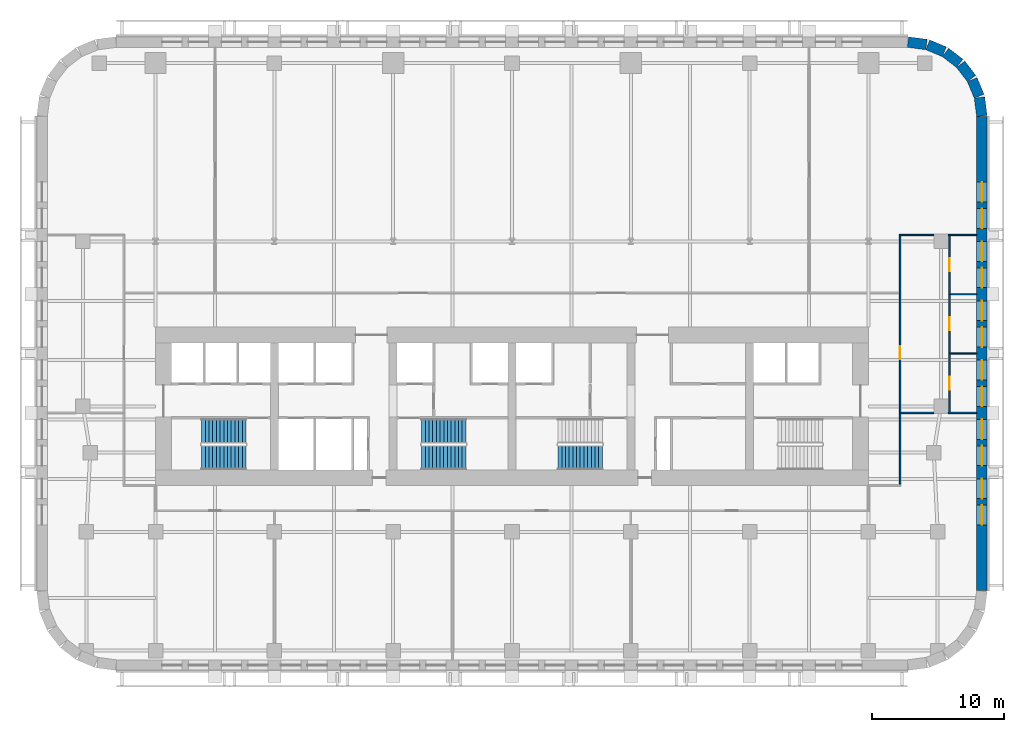
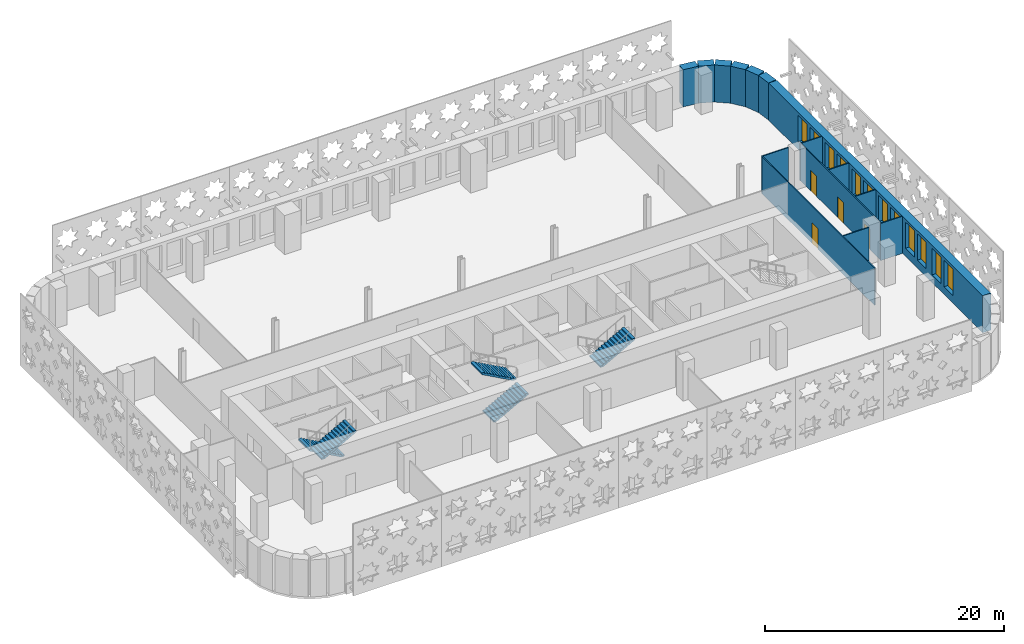
# One storey, part 7 of 13: 15 walls, 12 windows, 5 stair flights, 4 doors, 16 openings, 3 elements without a shape of their own.
"""IFC4 building model written with IfcOpenShell, lengths in metres."""

from ifc_helpers import new_model, si_unit, direction, frame, frame_2d, origin, place, context, subcontext, project, spatial, polyline, rectangle, outline, extrude, material, layer, layer_set, type_object, element, fill, aggregate, save


model = new_model("IFC4")

# Units and contexts
model_context = context("Model", 3, precision=1e-05, world=origin(), true_north=direction((0.0, 1.0)))
body_context = subcontext(model_context, "Body", "Model", "MODEL_VIEW")
ifc_project = project(units=[si_unit("LENGTHUNIT", "METRE"), si_unit("AREAUNIT", "SQUARE_METRE"), si_unit("VOLUMEUNIT", "CUBIC_METRE"), si_unit("PLANEANGLEUNIT", "RADIAN"), si_unit("MASSUNIT", "GRAM", prefix="KILO")], contexts=[model_context])

# Site, building, storey
site_placement = place(None, origin())
site = spatial("IfcSite", under=ifc_project, at=site_placement, CompositionType="ELEMENT")
building_placement = place(site_placement, origin())
building = spatial("IfcBuilding", under=site, at=building_placement, Name="Zellij Exchange Tower", CompositionType="ELEMENT")
storey_placement = place(building_placement, frame((0.0, 0.0, 60.5)))
storey = spatial("IfcBuildingStorey", under=building, at=storey_placement, Name="L11", CompositionType="ELEMENT", Elevation=60.5)

# Wall, openings, windows
ifc_material_1 = material(Name="Precast concrete C40/50", Category="concrete")
ifc_layer_1 = layer(ifc_material_1, 0.800048828125)
ifc_layer_set_1 = layer_set([ifc_layer_1], Name="Precast concrete C40/50")
wall_type_1 = type_object("IfcWallType", Name="ENV-EW1 Precast stone-piered wall 800", PredefinedType="SOLIDWALL", material=ifc_layer_set_1)
wall_1_placement = place(storey_placement, frame((35.60009765625, -21.947509765625, 0.0), z_axis=(0.0, 0.0, 1.0), x_axis=(0.0, 1.0, 0.0)))
wall_1 = element("IfcWall", 1, at=wall_1_placement, inside=storey, type_object=wall_type_1, Name="fac.L11.07", PredefinedType="SOLIDWALL", context=body_context, shape_type="SweptSolid", body=[
    extrude(rectangle(XDim=35.89501953125, YDim=0.800048828125, at=frame_2d((17.947509765625, 0.0))), origin(), (0.0, 0.0, 1.0), 3.800048828125),
])
opening_1_placement = place(wall_1_placement, frame((4.9638671875, 0.0, 0.800048828125)))
opening_1 = element("IfcOpeningElement", 2, at=opening_1_placement, cuts=wall_1, Name="Opening FZ1.25", PredefinedType="OPENING", context=body_context, shape_type="SweptSolid", body=[
    extrude(rectangle(XDim=1.5, YDim=2.699951171875, at=frame_2d((0.75, 1.35009765625))), frame((0.0, 0.412109375, 0.0), z_axis=(0.0, -1.0, 0.0), x_axis=(1.0, 0.0, 0.0)), (0.0, 0.0, 1.0), 0.823974609375),
])
opening_2_placement = place(wall_1_placement, frame((6.9638671875, 0.0, 0.800048828125)))
opening_2 = element("IfcOpeningElement", 3, at=opening_2_placement, cuts=wall_1, Name="Opening FZ1.26", PredefinedType="OPENING", context=body_context, shape_type="SweptSolid", body=[
    extrude(rectangle(XDim=1.5, YDim=2.699951171875, at=frame_2d((0.75, 1.35009765625))), frame((0.0, 0.412109375, 0.0), z_axis=(0.0, -1.0, 0.0), x_axis=(1.0, 0.0, 0.0)), (0.0, 0.0, 1.0), 0.823974609375),
])
opening_3_placement = place(wall_1_placement, frame((9.45751953125, 0.0, 0.800048828125)))
opening_3 = element("IfcOpeningElement", 4, at=opening_3_placement, cuts=wall_1, Name="Opening FZ1.27", PredefinedType="OPENING", context=body_context, shape_type="SweptSolid", body=[
    extrude(rectangle(XDim=1.5, YDim=2.699951171875, at=frame_2d((0.75, 1.35009765625))), frame((0.0, 0.412109375, 0.0), z_axis=(0.0, -1.0, 0.0), x_axis=(1.0, 0.0, 0.0)), (0.0, 0.0, 1.0), 0.823974609375),
])
opening_4_placement = place(wall_1_placement, frame((11.45751953125, 0.0, 0.800048828125)))
opening_4 = element("IfcOpeningElement", 5, at=opening_4_placement, cuts=wall_1, Name="Opening FZ1.28", PredefinedType="OPENING", context=body_context, shape_type="SweptSolid", body=[
    extrude(rectangle(XDim=1.5, YDim=2.699951171875, at=frame_2d((0.75, 1.35009765625))), frame((0.0, 0.412109375, 0.0), z_axis=(0.0, -1.0, 0.0), x_axis=(1.0, 0.0, 0.0)), (0.0, 0.0, 1.0), 0.823974609375),
])
opening_5_placement = place(wall_1_placement, frame((13.950927734375, 0.0, 0.800048828125)))
opening_5 = element("IfcOpeningElement", 6, at=opening_5_placement, cuts=wall_1, Name="Opening FZ1.29", PredefinedType="OPENING", context=body_context, shape_type="SweptSolid", body=[
    extrude(rectangle(XDim=1.5, YDim=2.699951171875, at=frame_2d((0.75, 1.35009765625))), frame((0.0, 0.412109375, 0.0), z_axis=(0.0, -1.0, 0.0), x_axis=(1.0, 0.0, 0.0)), (0.0, 0.0, 1.0), 0.823974609375),
])
opening_6_placement = place(wall_1_placement, frame((15.95068359375, 0.0, 0.800048828125)))
opening_6 = element("IfcOpeningElement", 7, at=opening_6_placement, cuts=wall_1, Name="Opening FZ1.30", PredefinedType="OPENING", context=body_context, shape_type="SweptSolid", body=[
    extrude(rectangle(XDim=1.5, YDim=2.699951171875, at=frame_2d((0.75, 1.35009765625))), frame((0.0, 0.412109375, 0.0), z_axis=(0.0, -1.0, 0.0), x_axis=(1.0, 0.0, 0.0)), (0.0, 0.0, 1.0), 0.823974609375),
])
opening_7_placement = place(wall_1_placement, frame((18.4443359375, 0.0, 0.800048828125)))
opening_7 = element("IfcOpeningElement", 8, at=opening_7_placement, cuts=wall_1, Name="Opening FZ1.31", PredefinedType="OPENING", context=body_context, shape_type="SweptSolid", body=[
    extrude(rectangle(XDim=1.5, YDim=2.699951171875, at=frame_2d((0.75, 1.35009765625))), frame((0.0, 0.412109375, 0.0), z_axis=(0.0, -1.0, 0.0), x_axis=(1.0, 0.0, 0.0)), (0.0, 0.0, 1.0), 0.823974609375),
])
opening_8_placement = place(wall_1_placement, frame((20.4443359375, 0.0, 0.800048828125)))
opening_8 = element("IfcOpeningElement", 9, at=opening_8_placement, cuts=wall_1, Name="Opening FZ1.32", PredefinedType="OPENING", context=body_context, shape_type="SweptSolid", body=[
    extrude(rectangle(XDim=1.5, YDim=2.699951171875, at=frame_2d((0.75, 1.35009765625))), frame((0.0, 0.412109375, 0.0), z_axis=(0.0, -1.0, 0.0), x_axis=(1.0, 0.0, 0.0)), (0.0, 0.0, 1.0), 0.823974609375),
])
opening_9_placement = place(wall_1_placement, frame((22.937744140625, 0.0, 0.800048828125)))
opening_9 = element("IfcOpeningElement", 10, at=opening_9_placement, cuts=wall_1, Name="Opening FZ1.33", PredefinedType="OPENING", context=body_context, shape_type="SweptSolid", body=[
    extrude(rectangle(XDim=1.5, YDim=2.699951171875, at=frame_2d((0.75, 1.35009765625))), frame((0.0, 0.412109375, 0.0), z_axis=(0.0, -1.0, 0.0), x_axis=(1.0, 0.0, 0.0)), (0.0, 0.0, 1.0), 0.823974609375),
])
opening_10_placement = place(wall_1_placement, frame((24.937744140625, 0.0, 0.800048828125)))
opening_10 = element("IfcOpeningElement", 11, at=opening_10_placement, cuts=wall_1, Name="Opening FZ1.34", PredefinedType="OPENING", context=body_context, shape_type="SweptSolid", body=[
    extrude(rectangle(XDim=1.5, YDim=2.699951171875, at=frame_2d((0.75, 1.35009765625))), frame((0.0, 0.412109375, 0.0), z_axis=(0.0, -1.0, 0.0), x_axis=(1.0, 0.0, 0.0)), (0.0, 0.0, 1.0), 0.823974609375),
])
opening_11_placement = place(wall_1_placement, frame((27.43115234375, 0.0, 0.800048828125)))
opening_11 = element("IfcOpeningElement", 12, at=opening_11_placement, cuts=wall_1, Name="Opening FZ1.35", PredefinedType="OPENING", context=body_context, shape_type="SweptSolid", body=[
    extrude(rectangle(XDim=1.5, YDim=2.699951171875, at=frame_2d((0.75, 1.35009765625))), frame((0.0, 0.412109375, 0.0), z_axis=(0.0, -1.0, 0.0), x_axis=(1.0, 0.0, 0.0)), (0.0, 0.0, 1.0), 0.823974609375),
])
opening_12_placement = place(wall_1_placement, frame((29.43115234375, 0.0, 0.800048828125)))
opening_12 = element("IfcOpeningElement", 13, at=opening_12_placement, cuts=wall_1, Name="Opening FZ1.36", PredefinedType="OPENING", context=body_context, shape_type="SweptSolid", body=[
    extrude(rectangle(XDim=1.5, YDim=2.699951171875, at=frame_2d((0.75, 1.35009765625))), frame((0.0, 0.412109375, 0.0), z_axis=(0.0, -1.0, 0.0), x_axis=(1.0, 0.0, 0.0)), (0.0, 0.0, 1.0), 0.823974609375),
])
ifc_material_2 = material(Name="Aluminium frame with insulating glass", Category="aluminium")
window_type = type_object("IfcWindowType", Name="ENV-W6 Window 1500x2700", PartitioningType="SINGLE_PANEL", PredefinedType="WINDOW", material=ifc_material_2)
window_1_placement = place(opening_1_placement, origin())
window_1 = element("IfcWindow", 14, at=window_1_placement, inside=storey, type_object=window_type, Name="Window FZ1.25", OverallHeight=2.699951171875, OverallWidth=1.5, PartitioningType="SINGLE_PANEL", PredefinedType="WINDOW", context=body_context, shape_type="SweptSolid", body=[
    extrude(rectangle(XDim=1.5, YDim=2.699951171875, at=frame_2d((0.75, 1.35009765625))), frame((0.0, 0.030029296875, 0.0), z_axis=(0.0, -1.0, 0.0), x_axis=(1.0, 0.0, 0.0)), (0.0, 0.0, 1.0), 0.06005859375),
])
fill(opening_1, window_1)
window_2_placement = place(opening_2_placement, origin())
window_2 = element("IfcWindow", 15, at=window_2_placement, inside=storey, type_object=window_type, Name="Window FZ1.26", OverallHeight=2.699951171875, OverallWidth=1.5, PartitioningType="SINGLE_PANEL", PredefinedType="WINDOW", context=body_context, shape_type="SweptSolid", body=[
    extrude(rectangle(XDim=1.5, YDim=2.699951171875, at=frame_2d((0.75, 1.35009765625))), frame((0.0, 0.030029296875, 0.0), z_axis=(0.0, -1.0, 0.0), x_axis=(1.0, 0.0, 0.0)), (0.0, 0.0, 1.0), 0.06005859375),
])
fill(opening_2, window_2)
window_3_placement = place(opening_3_placement, origin())
window_3 = element("IfcWindow", 16, at=window_3_placement, inside=storey, type_object=window_type, Name="Window FZ1.27", OverallHeight=2.699951171875, OverallWidth=1.5, PartitioningType="SINGLE_PANEL", PredefinedType="WINDOW", context=body_context, shape_type="SweptSolid", body=[
    extrude(rectangle(XDim=1.5, YDim=2.699951171875, at=frame_2d((0.75, 1.35009765625))), frame((0.0, 0.030029296875, 0.0), z_axis=(0.0, -1.0, 0.0), x_axis=(1.0, 0.0, 0.0)), (0.0, 0.0, 1.0), 0.06005859375),
])
fill(opening_3, window_3)
window_4_placement = place(opening_4_placement, origin())
window_4 = element("IfcWindow", 17, at=window_4_placement, inside=storey, type_object=window_type, Name="Window FZ1.28", OverallHeight=2.699951171875, OverallWidth=1.5, PartitioningType="SINGLE_PANEL", PredefinedType="WINDOW", context=body_context, shape_type="SweptSolid", body=[
    extrude(rectangle(XDim=1.5, YDim=2.699951171875, at=frame_2d((0.75, 1.35009765625))), frame((0.0, 0.030029296875, 0.0), z_axis=(0.0, -1.0, 0.0), x_axis=(1.0, 0.0, 0.0)), (0.0, 0.0, 1.0), 0.06005859375),
])
fill(opening_4, window_4)
window_5_placement = place(opening_5_placement, origin())
window_5 = element("IfcWindow", 18, at=window_5_placement, inside=storey, type_object=window_type, Name="Window FZ1.29", OverallHeight=2.699951171875, OverallWidth=1.5, PartitioningType="SINGLE_PANEL", PredefinedType="WINDOW", context=body_context, shape_type="SweptSolid", body=[
    extrude(rectangle(XDim=1.5, YDim=2.699951171875, at=frame_2d((0.75, 1.35009765625))), frame((0.0, 0.030029296875, 0.0), z_axis=(0.0, -1.0, 0.0), x_axis=(1.0, 0.0, 0.0)), (0.0, 0.0, 1.0), 0.06005859375),
])
fill(opening_5, window_5)
window_6_placement = place(opening_6_placement, origin())
window_6 = element("IfcWindow", 19, at=window_6_placement, inside=storey, type_object=window_type, Name="Window FZ1.30", OverallHeight=2.699951171875, OverallWidth=1.5, PartitioningType="SINGLE_PANEL", PredefinedType="WINDOW", context=body_context, shape_type="SweptSolid", body=[
    extrude(rectangle(XDim=1.5, YDim=2.699951171875, at=frame_2d((0.75, 1.35009765625))), frame((0.0, 0.030029296875, 0.0), z_axis=(0.0, -1.0, 0.0), x_axis=(1.0, 0.0, 0.0)), (0.0, 0.0, 1.0), 0.06005859375),
])
fill(opening_6, window_6)
window_7_placement = place(opening_7_placement, origin())
window_7 = element("IfcWindow", 20, at=window_7_placement, inside=storey, type_object=window_type, Name="Window FZ1.31", OverallHeight=2.699951171875, OverallWidth=1.5, PartitioningType="SINGLE_PANEL", PredefinedType="WINDOW", context=body_context, shape_type="SweptSolid", body=[
    extrude(rectangle(XDim=1.5, YDim=2.699951171875, at=frame_2d((0.75, 1.35009765625))), frame((0.0, 0.030029296875, 0.0), z_axis=(0.0, -1.0, 0.0), x_axis=(1.0, 0.0, 0.0)), (0.0, 0.0, 1.0), 0.06005859375),
])
fill(opening_7, window_7)
window_8_placement = place(opening_8_placement, origin())
window_8 = element("IfcWindow", 21, at=window_8_placement, inside=storey, type_object=window_type, Name="Window FZ1.32", OverallHeight=2.699951171875, OverallWidth=1.5, PartitioningType="SINGLE_PANEL", PredefinedType="WINDOW", context=body_context, shape_type="SweptSolid", body=[
    extrude(rectangle(XDim=1.5, YDim=2.699951171875, at=frame_2d((0.75, 1.35009765625))), frame((0.0, 0.030029296875, 0.0), z_axis=(0.0, -1.0, 0.0), x_axis=(1.0, 0.0, 0.0)), (0.0, 0.0, 1.0), 0.06005859375),
])
fill(opening_8, window_8)
window_9_placement = place(opening_9_placement, origin())
window_9 = element("IfcWindow", 22, at=window_9_placement, inside=storey, type_object=window_type, Name="Window FZ1.33", OverallHeight=2.699951171875, OverallWidth=1.5, PartitioningType="SINGLE_PANEL", PredefinedType="WINDOW", context=body_context, shape_type="SweptSolid", body=[
    extrude(rectangle(XDim=1.5, YDim=2.699951171875, at=frame_2d((0.75, 1.35009765625))), frame((0.0, 0.030029296875, 0.0), z_axis=(0.0, -1.0, 0.0), x_axis=(1.0, 0.0, 0.0)), (0.0, 0.0, 1.0), 0.06005859375),
])
fill(opening_9, window_9)
window_10_placement = place(opening_10_placement, origin())
window_10 = element("IfcWindow", 23, at=window_10_placement, inside=storey, type_object=window_type, Name="Window FZ1.34", OverallHeight=2.699951171875, OverallWidth=1.5, PartitioningType="SINGLE_PANEL", PredefinedType="WINDOW", context=body_context, shape_type="SweptSolid", body=[
    extrude(rectangle(XDim=1.5, YDim=2.699951171875, at=frame_2d((0.75, 1.35009765625))), frame((0.0, 0.030029296875, 0.0), z_axis=(0.0, -1.0, 0.0), x_axis=(1.0, 0.0, 0.0)), (0.0, 0.0, 1.0), 0.06005859375),
])
fill(opening_10, window_10)
window_11_placement = place(opening_11_placement, origin())
window_11 = element("IfcWindow", 24, at=window_11_placement, inside=storey, type_object=window_type, Name="Window FZ1.35", OverallHeight=2.699951171875, OverallWidth=1.5, PartitioningType="SINGLE_PANEL", PredefinedType="WINDOW", context=body_context, shape_type="SweptSolid", body=[
    extrude(rectangle(XDim=1.5, YDim=2.699951171875, at=frame_2d((0.75, 1.35009765625))), frame((0.0, 0.030029296875, 0.0), z_axis=(0.0, -1.0, 0.0), x_axis=(1.0, 0.0, 0.0)), (0.0, 0.0, 1.0), 0.06005859375),
])
fill(opening_11, window_11)
window_12_placement = place(opening_12_placement, origin())
window_12 = element("IfcWindow", 25, at=window_12_placement, inside=storey, type_object=window_type, Name="Window FZ1.36", OverallHeight=2.699951171875, OverallWidth=1.5, PartitioningType="SINGLE_PANEL", PredefinedType="WINDOW", context=body_context, shape_type="SweptSolid", body=[
    extrude(rectangle(XDim=1.5, YDim=2.699951171875, at=frame_2d((0.75, 1.35009765625))), frame((0.0, 0.030029296875, 0.0), z_axis=(0.0, -1.0, 0.0), x_axis=(1.0, 0.0, 0.0)), (0.0, 0.0, 1.0), 0.06005859375),
])
fill(opening_12, window_12)

# Walls
wall_2_placement = place(storey_placement, frame((35.5966796875, 13.999755859375, 0.0), z_axis=(0.0, 0.0, 1.0), x_axis=(-0.130517283865, 0.99144603414, 0.0)))
element("IfcWall", 26, at=wall_2_placement, inside=storey, type_object=wall_type_1, Name="fac.L11.08", PredefinedType="SOLIDWALL", context=body_context, shape_type="SweptSolid", body=[
    extrude(rectangle(XDim=1.408447265625, YDim=0.800048828125, at=frame_2d((0.7041015625, 0.0))), origin(), (0.0, 0.0, 1.0), 3.800048828125),
])
wall_3_placement = place(storey_placement, frame((35.3857421875, 15.497314453125, 0.0), z_axis=(0.0, 0.0, 1.0), x_axis=(-0.38276009378, 0.923847774587, 0.0)))
element("IfcWall", 27, at=wall_3_placement, inside=storey, type_object=wall_type_1, Name="fac.L11.09", PredefinedType="SOLIDWALL", context=body_context, shape_type="SweptSolid", body=[
    extrude(rectangle(XDim=1.35546875, YDim=0.800048828125, at=frame_2d((0.677734375, 0.0))), origin(), (0.0, 0.0, 1.0), 3.800048828125),
])
for number, where, z_axis, x_axis, name in (
    (28, (34.814697265625, 16.840087890625, 0.0), (0.0, 0.0, 1.0), (-0.608866226366, 0.793272915452, 0.0), "fac.L11.10"),
    (29, (33.91552734375, 17.9892578125, 0.0), (0.0, 0.0, 1.0), (-0.793272915452, 0.608866226366, 0.0), "fac.L11.11"),
):
    element("IfcWall", number, at=place(storey_placement, frame(where, z_axis=z_axis, x_axis=x_axis)), inside=storey, type_object=wall_type_1, Name=name, PredefinedType="SOLIDWALL", context=body_context, shape_type="SweptSolid", body=[
        extrude(rectangle(XDim=1.355712890625, YDim=0.800048828125, at=frame_2d((0.677734375, 0.0))), origin(), (0.0, 0.0, 1.0), 3.800048828125),
    ])
wall_4_placement = place(storey_placement, frame((32.74951171875, 18.866943359375, 0.0), z_axis=(0.0, 0.0, 1.0), x_axis=(-0.923847774587, 0.38276009378, 0.0)))
element("IfcWall", 30, at=wall_4_placement, inside=storey, type_object=wall_type_1, Name="fac.L11.12", PredefinedType="SOLIDWALL", context=body_context, shape_type="SweptSolid", body=[
    extrude(rectangle(XDim=1.35546875, YDim=0.800048828125, at=frame_2d((0.677734375, 0.0))), origin(), (0.0, 0.0, 1.0), 3.800048828125),
])
wall_5_placement = place(storey_placement, frame((31.396240234375, 19.412841796875, 0.0), z_axis=(0.0, 0.0, 1.0), x_axis=(-0.99144603414, 0.130517283865, 0.0)))
element("IfcWall", 31, at=wall_5_placement, inside=storey, type_object=wall_type_1, Name="fac.L11.13", PredefinedType="SOLIDWALL", context=body_context, shape_type="SweptSolid", body=[
    extrude(rectangle(XDim=1.408447265625, YDim=0.800048828125, at=frame_2d((0.7041015625, 0.0))), origin(), (0.0, 0.0, 1.0), 3.800048828125),
])

# Wall, opening, door
ifc_material_3 = material(Name="Gypsum board partition on steel studs", Category="steel")
ifc_layer_2 = layer(ifc_material_3, 0.10009765625)
ifc_layer_set_2 = layer_set([ifc_layer_2], Name="Gypsum board partition on steel studs")
wall_type_2 = type_object("IfcWallType", Name="FIT-PARTITION-100", PredefinedType="PARTITIONING", material=ifc_layer_set_2)
wall_6_placement = place(storey_placement, frame((29.39990234375, -13.949951171875, 0.0), z_axis=(0.0, 0.0, 1.0), x_axis=(0.0, 1.0, 0.0)))
wall_6 = element("IfcWall", 32, at=wall_6_placement, inside=storey, type_object=wall_type_2, Name="FIT-PARTITION-100 013", PredefinedType="PARTITIONING", context=body_context, shape_type="SweptSolid", body=[
    extrude(rectangle(XDim=18.889892578125, YDim=0.10009765625, at=frame_2d((9.44482421875, 0.0))), origin(), (0.0, 0.0, 1.0), 3.800048828125),
])
opening_13_placement = place(wall_6_placement, frame((9.510009765625, 0.0, 0.0)))
opening_13 = element("IfcOpeningElement", 33, at=opening_13_placement, cuts=wall_6, Name="Opening TA.07", PredefinedType="OPENING", context=body_context, shape_type="SweptSolid", body=[
    extrude(rectangle(XDim=1.0, YDim=2.10009765625, at=frame_2d((0.5, 1.050048828125))), frame((0.0, 0.06201171875, 0.0), z_axis=(0.0, -1.0, 0.0), x_axis=(1.0, 0.0, 0.0)), (0.0, 0.0, 1.0), 0.1240234375),
])
ifc_material_4 = material(Name="Timber door set", Category="wood")
door_type = type_object("IfcDoorType", Name="FIT-D2-WIDE-1000X2100", OperationType="SINGLE_SWING_LEFT", PredefinedType="DOOR", material=ifc_material_4)
door_1_placement = place(opening_13_placement, origin())
door_1 = element("IfcDoor", 34, at=door_1_placement, inside=storey, type_object=door_type, Name="Door TA.07", OperationType="SINGLE_SWING_LEFT", OverallHeight=2.10009765625, OverallWidth=1.0, PredefinedType="DOOR", context=body_context, shape_type="SweptSolid", body=[
    extrude(rectangle(XDim=1.0, YDim=2.10009765625, at=frame_2d((0.5, 1.050048828125))), frame((0.0, 0.02490234375, 0.0), z_axis=(0.0, -1.0, 0.0), x_axis=(1.0, 0.0, 0.0)), (0.0, 0.0, 1.0), 0.050048828125),
])
fill(opening_13, door_1)

# Walls
wall_7_placement = place(storey_placement, frame((29.449951171875, -8.489990234375, 0.0), z_axis=(0.0, 0.0, 1.0), x_axis=(1.0, 0.0, 0.0)))
element("IfcWall", 35, at=wall_7_placement, inside=storey, type_object=wall_type_2, Name="FIT-PARTITION-100 016", PredefinedType="PARTITIONING", context=body_context, shape_type="SweptSolid", body=[
    extrude(rectangle(XDim=2.5, YDim=0.10009765625, at=frame_2d((1.25, 0.0))), origin(), (0.0, 0.0, 1.0), 3.800048828125),
])
wall_8_placement = place(storey_placement, frame((33.050048828125, -8.489990234375, 0.0), z_axis=(0.0, 0.0, 1.0), x_axis=(1.0, 0.0, 0.0)))
element("IfcWall", 36, at=wall_8_placement, inside=storey, type_object=wall_type_2, Name="FIT-PARTITION-100 017", PredefinedType="PARTITIONING", context=body_context, shape_type="SweptSolid", body=[
    extrude(rectangle(XDim=2.14990234375, YDim=0.10009765625, at=frame_2d((1.074951171875, 0.0))), origin(), (0.0, 0.0, 1.0), 3.800048828125),
])

# Wall, openings, doors
wall_9_placement = place(storey_placement, frame((33.14990234375, -8.43994140625, 0.0), z_axis=(0.0, 0.0, 1.0), x_axis=(0.0, 1.0, 0.0)))
wall_9 = element("IfcWall", 37, at=wall_9_placement, inside=storey, type_object=wall_type_2, Name="FIT-PARTITION-100 018", PredefinedType="PARTITIONING", context=body_context, shape_type="SweptSolid", body=[
    extrude(rectangle(XDim=13.3798828125, YDim=0.10009765625, at=frame_2d((6.68994140625, 0.0))), origin(), (0.0, 0.0, 1.0), 3.800048828125),
])
opening_14_placement = place(wall_9_placement, frame((1.699951171875, 0.0, 0.0)))
opening_14 = element("IfcOpeningElement", 38, at=opening_14_placement, cuts=wall_9, Name="Opening TA.05", PredefinedType="OPENING", context=body_context, shape_type="SweptSolid", body=[
    extrude(rectangle(XDim=1.0, YDim=2.10009765625, at=frame_2d((0.5, 1.050048828125))), frame((0.0, 0.06201171875, 0.0), z_axis=(0.0, -1.0, 0.0), x_axis=(1.0, 0.0, 0.0)), (0.0, 0.0, 1.0), 0.1240234375),
])
opening_15_placement = place(wall_9_placement, frame((6.18994140625, 0.0, 0.0)))
opening_15 = element("IfcOpeningElement", 39, at=opening_15_placement, cuts=wall_9, Name="Opening TA.08", PredefinedType="OPENING", context=body_context, shape_type="SweptSolid", body=[
    extrude(rectangle(XDim=1.0, YDim=2.10009765625, at=frame_2d((0.5, 1.050048828125))), frame((0.0, 0.06201171875, 0.0), z_axis=(0.0, -1.0, 0.0), x_axis=(1.0, 0.0, 0.0)), (0.0, 0.0, 1.0), 0.1240234375),
])
opening_16_placement = place(wall_9_placement, frame((10.679931640625, 0.0, 0.0)))
opening_16 = element("IfcOpeningElement", 40, at=opening_16_placement, cuts=wall_9, Name="Opening TA.11", PredefinedType="OPENING", context=body_context, shape_type="SweptSolid", body=[
    extrude(rectangle(XDim=1.0, YDim=2.10009765625, at=frame_2d((0.5, 1.050048828125))), frame((0.0, 0.06201171875, 0.0), z_axis=(0.0, -1.0, 0.0), x_axis=(1.0, 0.0, 0.0)), (0.0, 0.0, 1.0), 0.1240234375),
])
door_2_placement = place(opening_14_placement, origin())
door_2 = element("IfcDoor", 41, at=door_2_placement, inside=storey, type_object=door_type, Name="Door TA.05", OperationType="SINGLE_SWING_RIGHT", OverallHeight=2.10009765625, OverallWidth=1.0, PredefinedType="DOOR", context=body_context, shape_type="SweptSolid", body=[
    extrude(rectangle(XDim=1.0, YDim=2.10009765625, at=frame_2d((0.5, 1.050048828125))), frame((0.0, 0.02490234375, 0.0), z_axis=(0.0, -1.0, 0.0), x_axis=(1.0, 0.0, 0.0)), (0.0, 0.0, 1.0), 0.050048828125),
])
fill(opening_14, door_2)
door_3_placement = place(opening_15_placement, origin())
door_3 = element("IfcDoor", 42, at=door_3_placement, inside=storey, type_object=door_type, Name="Door TA.08", OperationType="SINGLE_SWING_RIGHT", OverallHeight=2.10009765625, OverallWidth=1.0, PredefinedType="DOOR", context=body_context, shape_type="SweptSolid", body=[
    extrude(rectangle(XDim=1.0, YDim=2.10009765625, at=frame_2d((0.5, 1.050048828125))), frame((0.0, 0.02490234375, 0.0), z_axis=(0.0, -1.0, 0.0), x_axis=(1.0, 0.0, 0.0)), (0.0, 0.0, 1.0), 0.050048828125),
])
fill(opening_15, door_3)
door_4_placement = place(opening_16_placement, origin())
door_4 = element("IfcDoor", 43, at=door_4_placement, inside=storey, type_object=door_type, Name="Door TA.11", OperationType="SINGLE_SWING_LEFT", OverallHeight=2.10009765625, OverallWidth=1.0, PredefinedType="DOOR", context=body_context, shape_type="SweptSolid", body=[
    extrude(rectangle(XDim=1.0, YDim=2.10009765625, at=frame_2d((0.5, 1.050048828125))), frame((0.0, 0.02490234375, 0.0), z_axis=(0.0, -1.0, 0.0), x_axis=(1.0, 0.0, 0.0)), (0.0, 0.0, 1.0), 0.050048828125),
])
fill(opening_16, door_4)

# Walls
for number, where, z_axis, x_axis, name in (
    (44, (33.199951171875, -4.0, 0.0), (0.0, 0.0, 1.0), (1.0, 0.0, 0.0), "FIT-PARTITION-100 019"),
    (45, (33.199951171875, 0.489990234375, 0.0), (0.0, 0.0, 1.0), (1.0, 0.0, 0.0), "FIT-PARTITION-100 020"),
):
    element("IfcWall", number, at=place(storey_placement, frame(where, z_axis=z_axis, x_axis=x_axis)), inside=storey, type_object=wall_type_2, Name=name, PredefinedType="PARTITIONING", context=body_context, shape_type="SweptSolid", body=[
        extrude(rectangle(XDim=2.0, YDim=0.10009765625, at=frame_2d((1.0, 0.0))), origin(), (0.0, 0.0, 1.0), 3.800048828125),
    ])
wall_10_placement = place(storey_placement, frame((29.35009765625, 4.989990234375, 0.0), z_axis=(0.0, 0.0, 1.0), x_axis=(1.0, 0.0, 0.0)))
element("IfcWall", 46, at=wall_10_placement, inside=storey, type_object=wall_type_2, Name="FIT-PARTITION-100 028", PredefinedType="PARTITIONING", context=body_context, shape_type="SweptSolid", body=[
    extrude(rectangle(XDim=2.599853515625, YDim=0.10009765625, at=frame_2d((1.2998046875, 0.0))), origin(), (0.0, 0.0, 1.0), 3.800048828125),
])
wall_11_placement = place(storey_placement, frame((33.050048828125, 4.989990234375, 0.0), z_axis=(0.0, 0.0, 1.0), x_axis=(1.0, 0.0, 0.0)))
element("IfcWall", 47, at=wall_11_placement, inside=storey, type_object=wall_type_2, Name="FIT-PARTITION-100 029", PredefinedType="PARTITIONING", context=body_context, shape_type="SweptSolid", body=[
    extrude(rectangle(XDim=2.14990234375, YDim=0.10009765625, at=frame_2d((1.074951171875, 0.0))), origin(), (0.0, 0.0, 1.0), 3.800048828125),
])

# Stair, stair flights
ifc_material_5 = material(Name="Concrete C40/50", Category="concrete")
stair_type = type_object("IfcStairType", Name="CORE-ST exit stair 1850 wide", PredefinedType="HALF_TURN_STAIR", material=ifc_material_5)
stair_1_placement = place(storey_placement, origin())
stair_1 = element("IfcStair", 48, at=stair_1_placement, inside=storey, type_object=stair_type, Name="L11 exit stair ST1", PredefinedType="HALF_TURN_STAIR")
stair_flight_type = type_object("IfcStairFlightType", Name="CORE-SF flight 1850 riser 153.8 going 280", PredefinedType="STRAIGHT", material=ifc_material_5)
stair_flight_1_placement = place(storey_placement, frame((-20.14990234375, -9.875, 0.0), z_axis=(0.0, 0.0, 1.0), x_axis=(-1.0, 0.0, 0.0)))
stair_flight_1 = element("IfcStairFlight", 49, at=stair_flight_1_placement, type_object=stair_flight_type, Name="ST1 flight 1", NumberOfRisers=13, NumberOfTreads=12, PredefinedType="STRAIGHT", RiserHeight=0.153846154, TreadLength=0.28, context=body_context, shape_type="SweptSolid", body=[
    extrude(outline(polyline([(0.0, 0.0), (0.0, 0.15380859375), (0.280029296875, 0.15380859375), (0.280029296875, 0.3076171875), (0.56005859375, 0.3076171875), (0.56005859375, 0.46142578125), (0.840087890625, 0.46142578125), (0.840087890625, 0.615478515625), (1.1201171875, 0.615478515625), (1.1201171875, 0.769287109375), (1.39990234375, 0.769287109375), (1.39990234375, 0.923095703125), (1.679931640625, 0.923095703125), (1.679931640625, 1.076904296875), (1.9599609375, 1.076904296875), (1.9599609375, 1.230712890625), (2.239990234375, 1.230712890625), (2.239990234375, 1.384521484375), (2.52001953125, 1.384521484375), (2.52001953125, 1.53857421875), (2.800048828125, 1.53857421875), (2.800048828125, 1.6923828125), (3.080078125, 1.6923828125), (3.080078125, 1.84619140625), (3.360107421875, 1.84619140625), (3.360107421875, 2.0), (3.360107421875, 1.675048828125), (0.311279296875, 0.0), (0.0, 0.0)])), frame((0.0, 0.925048828125, 0.0), z_axis=(0.0, -1.0, 0.0), x_axis=(1.0, 0.0, 0.0)), (0.0, 0.0, 1.0), 1.85009765625),
])
stair_flight_2_placement = place(storey_placement, frame((-23.510009765625, -11.875, 2.0), z_axis=(0.0, 0.0, 1.0), x_axis=(1.0, 0.0, 0.0)))
stair_flight_2 = element("IfcStairFlight", 50, at=stair_flight_2_placement, type_object=stair_flight_type, Name="ST1 flight 2", NumberOfRisers=13, NumberOfTreads=12, PredefinedType="STRAIGHT", RiserHeight=0.153846154, TreadLength=0.28, context=body_context, shape_type="SweptSolid", body=[
    extrude(outline(polyline([(0.0, 0.0), (0.0, 0.15380859375), (0.280029296875, 0.15380859375), (0.280029296875, 0.3076171875), (0.56005859375, 0.3076171875), (0.56005859375, 0.46142578125), (0.840087890625, 0.46142578125), (0.840087890625, 0.615478515625), (1.1201171875, 0.615478515625), (1.1201171875, 0.769287109375), (1.39990234375, 0.769287109375), (1.39990234375, 0.923095703125), (1.679931640625, 0.923095703125), (1.679931640625, 1.076904296875), (1.9599609375, 1.076904296875), (1.9599609375, 1.230712890625), (2.239990234375, 1.230712890625), (2.239990234375, 1.384521484375), (2.52001953125, 1.384521484375), (2.52001953125, 1.53857421875), (2.800048828125, 1.53857421875), (2.800048828125, 1.6923828125), (3.080078125, 1.6923828125), (3.080078125, 1.84619140625), (3.360107421875, 1.84619140625), (3.360107421875, 2.0), (3.360107421875, 1.675048828125), (0.311279296875, 0.0), (0.0, 0.0)])), frame((0.0, 0.925048828125, 0.0), z_axis=(0.0, -1.0, 0.0), x_axis=(1.0, 0.0, 0.0)), (0.0, 0.0, 1.0), 1.85009765625),
])
aggregate(stair_1, [stair_flight_1, stair_flight_2])

stair_2_placement = place(storey_placement, origin())
stair_2 = element("IfcStair", 51, at=stair_2_placement, inside=storey, type_object=stair_type, Name="L11 exit stair ST2", PredefinedType="HALF_TURN_STAIR")
stair_flight_3_placement = place(storey_placement, frame((-6.85009765625, -11.875, 0.0), z_axis=(0.0, 0.0, 1.0), x_axis=(1.0, 0.0, 0.0)))
stair_flight_3 = element("IfcStairFlight", 52, at=stair_flight_3_placement, type_object=stair_flight_type, Name="ST2 flight 1", NumberOfRisers=13, NumberOfTreads=12, PredefinedType="STRAIGHT", RiserHeight=0.153846154, TreadLength=0.28, context=body_context, shape_type="SweptSolid", body=[
    extrude(outline(polyline([(0.0, 0.0), (0.0, 0.15380859375), (0.280029296875, 0.15380859375), (0.280029296875, 0.3076171875), (0.56005859375, 0.3076171875), (0.56005859375, 0.46142578125), (0.840087890625, 0.46142578125), (0.840087890625, 0.615478515625), (1.1201171875, 0.615478515625), (1.1201171875, 0.769287109375), (1.39990234375, 0.769287109375), (1.39990234375, 0.923095703125), (1.679931640625, 0.923095703125), (1.679931640625, 1.076904296875), (1.9599609375, 1.076904296875), (1.9599609375, 1.230712890625), (2.239990234375, 1.230712890625), (2.239990234375, 1.384521484375), (2.52001953125, 1.384521484375), (2.52001953125, 1.53857421875), (2.800048828125, 1.53857421875), (2.800048828125, 1.6923828125), (3.080078125, 1.6923828125), (3.080078125, 1.84619140625), (3.360107421875, 1.84619140625), (3.360107421875, 2.0), (3.360107421875, 1.675048828125), (0.311279296875, 0.0), (0.0, 0.0)])), frame((0.0, 0.925048828125, 0.0), z_axis=(0.0, -1.0, 0.0), x_axis=(1.0, 0.0, 0.0)), (0.0, 0.0, 1.0), 1.85009765625),
])
stair_flight_4_placement = place(storey_placement, frame((-3.489990234375, -9.875, 2.0), z_axis=(0.0, 0.0, 1.0), x_axis=(-1.0, 0.0, 0.0)))
stair_flight_4 = element("IfcStairFlight", 53, at=stair_flight_4_placement, type_object=stair_flight_type, Name="ST2 flight 2", NumberOfRisers=13, NumberOfTreads=12, PredefinedType="STRAIGHT", RiserHeight=0.153846154, TreadLength=0.28, context=body_context, shape_type="SweptSolid", body=[
    extrude(outline(polyline([(0.0, 0.0), (0.0, 0.15380859375), (0.280029296875, 0.15380859375), (0.280029296875, 0.3076171875), (0.56005859375, 0.3076171875), (0.56005859375, 0.46142578125), (0.840087890625, 0.46142578125), (0.840087890625, 0.615478515625), (1.1201171875, 0.615478515625), (1.1201171875, 0.769287109375), (1.39990234375, 0.769287109375), (1.39990234375, 0.923095703125), (1.679931640625, 0.923095703125), (1.679931640625, 1.076904296875), (1.9599609375, 1.076904296875), (1.9599609375, 1.230712890625), (2.239990234375, 1.230712890625), (2.239990234375, 1.384521484375), (2.52001953125, 1.384521484375), (2.52001953125, 1.53857421875), (2.800048828125, 1.53857421875), (2.800048828125, 1.6923828125), (3.080078125, 1.6923828125), (3.080078125, 1.84619140625), (3.360107421875, 1.84619140625), (3.360107421875, 2.0), (3.360107421875, 1.675048828125), (0.311279296875, 0.0), (0.0, 0.0)])), frame((0.0, 0.925048828125, 0.0), z_axis=(0.0, -1.0, 0.0), x_axis=(1.0, 0.0, 0.0)), (0.0, 0.0, 1.0), 1.85009765625),
])
aggregate(stair_2, [stair_flight_3, stair_flight_4])

# Stair, stair flight
stair_3_placement = place(storey_placement, origin())
stair_3 = element("IfcStair", 54, at=stair_3_placement, inside=storey, type_object=stair_type, Name="L11 exit stair ST3", PredefinedType="HALF_TURN_STAIR")
stair_flight_5_placement = place(storey_placement, frame((3.489990234375, -11.875, 2.0), z_axis=(0.0, 0.0, 1.0), x_axis=(1.0, 0.0, 0.0)))
stair_flight_5 = element("IfcStairFlight", 55, at=stair_flight_5_placement, type_object=stair_flight_type, Name="ST3 flight 2", NumberOfRisers=13, NumberOfTreads=12, PredefinedType="STRAIGHT", RiserHeight=0.153846154, TreadLength=0.28, context=body_context, shape_type="SweptSolid", body=[
    extrude(outline(polyline([(0.0, 0.0), (0.0, 0.15380859375), (0.280029296875, 0.15380859375), (0.280029296875, 0.3076171875), (0.56005859375, 0.3076171875), (0.56005859375, 0.46142578125), (0.840087890625, 0.46142578125), (0.840087890625, 0.615478515625), (1.1201171875, 0.615478515625), (1.1201171875, 0.769287109375), (1.39990234375, 0.769287109375), (1.39990234375, 0.923095703125), (1.679931640625, 0.923095703125), (1.679931640625, 1.076904296875), (1.9599609375, 1.076904296875), (1.9599609375, 1.230712890625), (2.239990234375, 1.230712890625), (2.239990234375, 1.384521484375), (2.52001953125, 1.384521484375), (2.52001953125, 1.53857421875), (2.800048828125, 1.53857421875), (2.800048828125, 1.6923828125), (3.080078125, 1.6923828125), (3.080078125, 1.84619140625), (3.360107421875, 1.84619140625), (3.360107421875, 2.0), (3.360107421875, 1.675048828125), (0.311279296875, 0.0), (0.0, 0.0)])), frame((0.0, 0.925048828125, 0.0), z_axis=(0.0, -1.0, 0.0), x_axis=(1.0, 0.0, 0.0)), (0.0, 0.0, 1.0), 1.85009765625),
])
aggregate(stair_3, [stair_flight_5])

save(model, "model.ifc")
